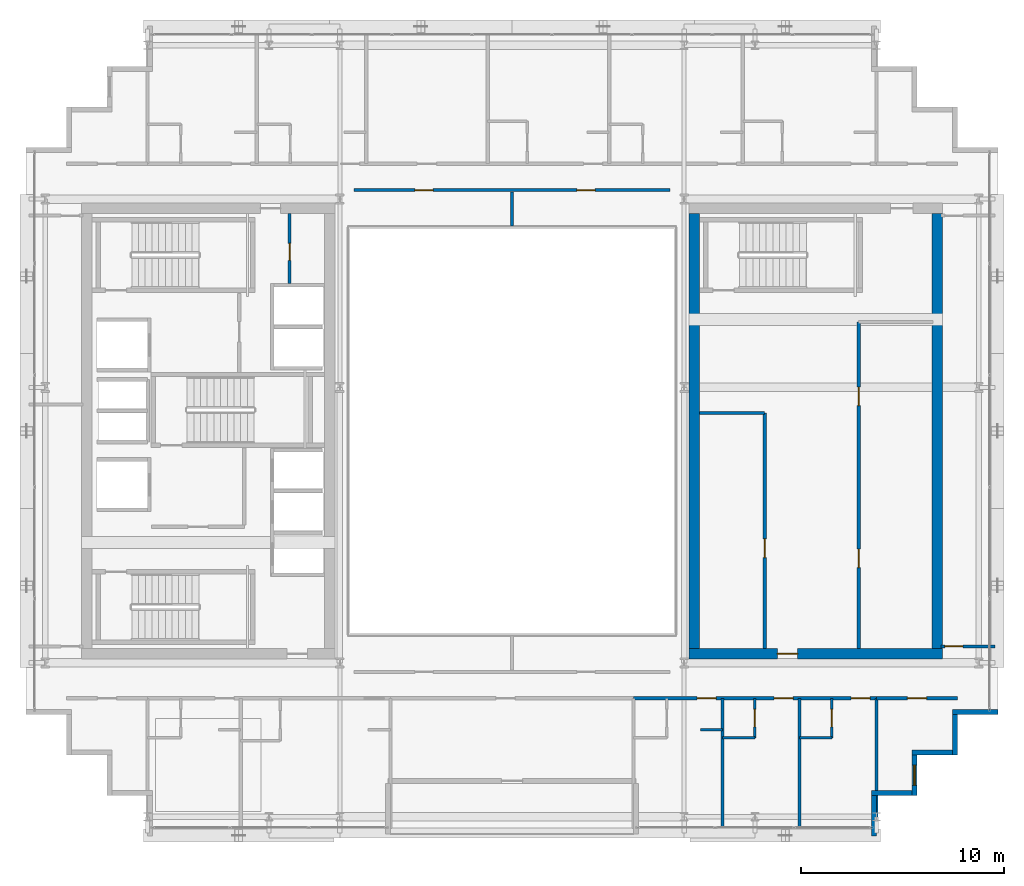
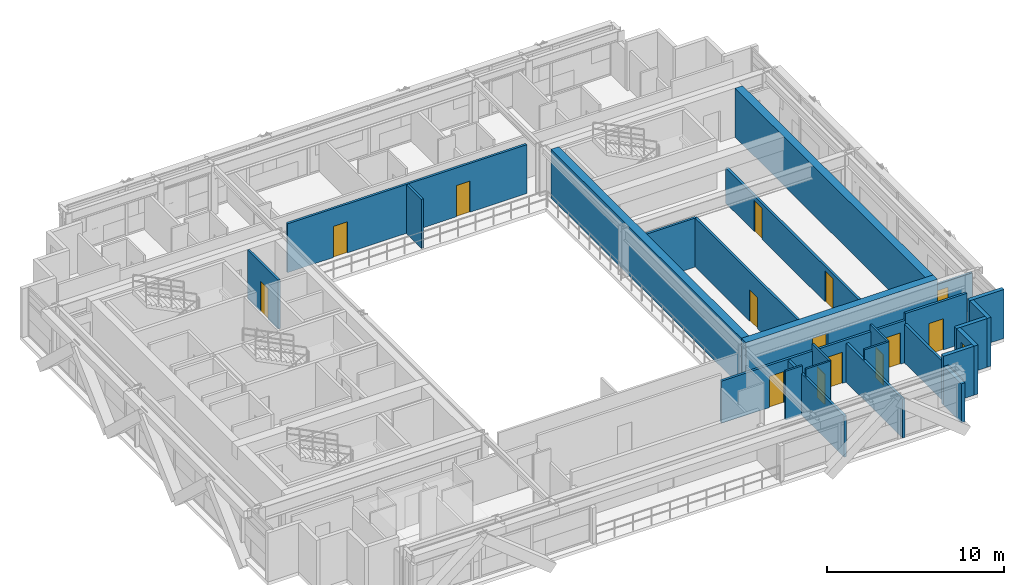
# One storey, part 25 of 31: 26 walls, 14 doors, 1 window, 15 openings.
"""IFC4 building model written with IfcOpenShell, lengths in metres."""

from ifc_helpers import new_model, si_unit, direction, frame, frame_2d, origin, place, context, subcontext, project, spatial, rectangle, extrude, source, transform, mapped, material, layer, layer_set, type_object, element, fill, save


model = new_model("IFC4")

# Units and contexts
model_context = context("Model", 3, precision=1e-05, world=origin(), true_north=direction((0.0, 1.0)))
body_context = subcontext(model_context, "Body", "Model", "MODEL_VIEW")
ifc_project = project(units=[si_unit("LENGTHUNIT", "METRE"), si_unit("AREAUNIT", "SQUARE_METRE"), si_unit("VOLUMEUNIT", "CUBIC_METRE"), si_unit("PLANEANGLEUNIT", "RADIAN"), si_unit("MASSUNIT", "GRAM", prefix="KILO")], contexts=[model_context])

# Site, building, storey
site_placement = place(None, origin())
site = spatial("IfcSite", under=ifc_project, at=site_placement, CompositionType="ELEMENT")
building_placement = place(site_placement, origin())
building = spatial("IfcBuilding", under=site, at=building_placement, Name="Ocotamira Hotel", CompositionType="ELEMENT")
storey_placement = place(building_placement, frame((0.0, 0.0, 202.800048828125)))
storey = spatial("IfcBuildingStorey", under=building, at=storey_placement, Name="L51", CompositionType="ELEMENT", Elevation=202.800048828125)

# Wall, opening, door
ifc_material_1 = material(Name="Concrete C50/60", Category="concrete")
ifc_layer_1 = layer(ifc_material_1, 0.5)
ifc_layer_set_1 = layer_set([ifc_layer_1], Name="Concrete C50/60")
wall_type_1 = type_object("IfcWallType", Name="WL-CORE-500", PredefinedType="SHEAR", material=ifc_layer_set_1)
wall_1_placement = place(storey_placement, frame((40.75, 15.0, 0.0), z_axis=(0.0, 0.0, 1.0), x_axis=(1.0, 0.0, 0.0)))
wall_1 = element("IfcWall", 1, at=wall_1_placement, inside=storey, type_object=wall_type_1, Name="L51 Shear Core Wall ECORE-S", PredefinedType="SHEAR", context=body_context, shape_type="SweptSolid", body=[
    extrude(rectangle(XDim=12.5, YDim=0.5, at=frame_2d((6.25, 0.0))), origin(), (0.0, 0.0, 1.0), 3.369873046875),
])
opening_1_placement = place(wall_1_placement, frame((4.35009765625, 0.0, 0.0)))
opening_1 = element("IfcOpeningElement", 2, at=opening_1_placement, cuts=wall_1, Name="Opening D-FR2", PredefinedType="OPENING", context=body_context, shape_type="SweptSolid", body=[
    extrude(rectangle(XDim=1.0, YDim=2.14990234375, at=frame_2d((0.5, 1.074951171875))), frame((0.0, 0.260009765625, 0.0), z_axis=(0.0, -1.0, 0.0), x_axis=(1.0, 0.0, 0.0)), (0.0, 0.0, 1.0), 0.52001953125),
])
ifc_material_2 = material(Name="Fire-rated acoustic timber-veneer door", Category="wood")
door_type_1 = type_object("IfcDoorType", Name="DR-FIRE-1000", OperationType="NOTDEFINED", PredefinedType="DOOR", material=ifc_material_2)
shared_shape_1 = source(origin(), body_context, "Body", "SweptSolid", [
    extrude(rectangle(XDim=1.0, YDim=2.14990234375, at=frame_2d((0.5, 1.074951171875))), frame((0.0, 0.02490234375, 0.0), z_axis=(0.0, -1.0, 0.0), x_axis=(1.0, 0.0, 0.0)), (0.0, 0.0, 1.0), 0.050048828125),
])
door_1_placement = place(opening_1_placement, origin())
door_1 = element("IfcDoor", 3, at=door_1_placement, inside=storey, type_object=door_type_1, Name="L51 Door ID-L51-ELOB-S-D [ID-L51-ELOB-S-D]", OperationType="SINGLE_SWING_RIGHT", OverallHeight=2.14990234375, OverallWidth=1.0, PredefinedType="DOOR", context=body_context, shape_type="MappedRepresentation", body=[
    mapped(shared_shape_1, transform((0.0, 0.0, 0.0), scale=1.0)),
])
fill(opening_1, door_1)

# Walls
for number, where, z_axis, x_axis, name in (
    (4, (41.0, 15.25, 0.0), (0.0, 0.0, 1.0), (0.0, 1.0, 0.0), "L51 Shear Core Wall ECORE-W"),
    (5, (53.0, 15.25, 0.0), (0.0, 0.0, 1.0), (0.0, 1.0, 0.0), "L51 Shear Core Wall ECORE-E"),
):
    element("IfcWall", number, at=place(storey_placement, frame(where, z_axis=z_axis, x_axis=x_axis)), inside=storey, type_object=wall_type_1, Name=name, PredefinedType="SHEAR", context=body_context, shape_type="SweptSolid", body=[
        extrude(rectangle(XDim=21.5, YDim=0.5, at=frame_2d((10.75, 0.0))), origin(), (0.0, 0.0, 1.0), 3.369873046875),
    ])
ifc_material_3 = material(Name="Precast concrete C45/55", Category="concrete")
ifc_layer_2 = layer(ifc_material_3, 0.25)
ifc_layer_set_2 = layer_set([ifc_layer_2], Name="Precast concrete C45/55")
wall_type_2 = type_object("IfcWallType", Name="WL-EXT-SER-250", PredefinedType="SOLIDWALL", material=ifc_layer_set_2)
wall_2_placement = place(storey_placement, frame((49.875, 6.0, 0.0), z_axis=(0.0, 0.0, 1.0), x_axis=(0.0, 1.0, 0.0)))
element("IfcWall", 6, at=wall_2_placement, inside=storey, type_object=wall_type_2, Name="L51 Serrated Corner Wall 01", PredefinedType="SOLIDWALL", context=body_context, shape_type="SweptSolid", body=[
    extrude(rectangle(XDim=2.0, YDim=0.25, at=frame_2d((1.0, 0.0))), origin(), (0.0, 0.0, 1.0), 2.677001953125),
])
wall_3_placement = place(storey_placement, frame((49.75, 8.125, 0.0), z_axis=(0.0, 0.0, 1.0), x_axis=(1.0, 0.0, 0.0)))
element("IfcWall", 7, at=wall_3_placement, inside=storey, type_object=wall_type_2, Name="L51 Serrated Corner Wall 02", PredefinedType="SOLIDWALL", context=body_context, shape_type="SweptSolid", body=[
    extrude(rectangle(XDim=2.0, YDim=0.25, at=frame_2d((1.0, 0.0))), origin(), (0.0, 0.0, 1.0), 3.369873046875),
])

# Wall, opening, window
wall_4_placement = place(storey_placement, frame((51.875, 8.0, 0.0), z_axis=(0.0, 0.0, 1.0), x_axis=(0.0, 1.0, 0.0)))
wall_4 = element("IfcWall", 8, at=wall_4_placement, inside=storey, type_object=wall_type_2, Name="L51 Serrated Corner Wall 03", PredefinedType="SOLIDWALL", context=body_context, shape_type="SweptSolid", body=[
    extrude(rectangle(XDim=2.0, YDim=0.25, at=frame_2d((1.0, 0.0))), origin(), (0.0, 0.0, 1.0), 3.369873046875),
])
opening_2_placement = place(wall_4_placement, frame((0.5, 0.0, 0.85009765625)))
opening_2 = element("IfcOpeningElement", 9, at=opening_2_placement, cuts=wall_4, Name="Opening WN-2", PredefinedType="OPENING", context=body_context, shape_type="SweptSolid", body=[
    extrude(rectangle(XDim=1.0, YDim=1.89990234375, at=frame_2d((0.5, 0.949951171875))), frame((0.0, 0.135009765625, 0.0), z_axis=(0.0, -1.0, 0.0), x_axis=(1.0, 0.0, 0.0)), (0.0, 0.0, 1.0), 0.27001953125),
])
ifc_material_4 = material(Name="Double-silver low-E solar glass", Category="glass")
window_type = type_object("IfcWindowType", Name="WIN-SER-1100", PartitioningType="SINGLE_PANEL", PredefinedType="WINDOW", material=ifc_material_4)
shared_shape_2 = source(origin(), body_context, "Body", "SweptSolid", [
    extrude(rectangle(XDim=1.0, YDim=1.89990234375, at=frame_2d((0.5, 0.949951171875))), frame((0.0, 0.030029296875, 0.0), z_axis=(0.0, -1.0, 0.0), x_axis=(1.0, 0.0, 0.0)), (0.0, 0.0, 1.0), 0.06005859375),
])
window_placement = place(opening_2_placement, origin())
window = element("IfcWindow", 10, at=window_placement, inside=storey, type_object=window_type, Name="L51 Serrated Corner Window 03", OverallHeight=1.89990234375, OverallWidth=1.0, PartitioningType="SINGLE_PANEL", PredefinedType="WINDOW", context=body_context, shape_type="MappedRepresentation", body=[
    mapped(shared_shape_2, transform((0.0, 0.0, 0.0), scale=1.0)),
])
fill(opening_2, window)

# Walls
for number, where, z_axis, x_axis, name in (
    (11, (51.75, 10.125, 0.0), (0.0, 0.0, 1.0), (1.0, 0.0, 0.0), "L51 Serrated Corner Wall 04"),
    (12, (53.875, 10.0, 0.0), (0.0, 0.0, 1.0), (0.0, 1.0, 0.0), "L51 Serrated Corner Wall 05"),
):
    element("IfcWall", number, at=place(storey_placement, frame(where, z_axis=z_axis, x_axis=x_axis)), inside=storey, type_object=wall_type_2, Name=name, PredefinedType="SOLIDWALL", context=body_context, shape_type="SweptSolid", body=[
        extrude(rectangle(XDim=2.0, YDim=0.25, at=frame_2d((1.0, 0.0))), origin(), (0.0, 0.0, 1.0), 3.369873046875),
    ])
wall_5_placement = place(storey_placement, frame((53.75, 12.125, 0.0), z_axis=(0.0, 0.0, 1.0), x_axis=(1.0, 0.0, 0.0)))
element("IfcWall", 13, at=wall_5_placement, inside=storey, type_object=wall_type_2, Name="L51 Serrated Corner Wall 06", PredefinedType="SOLIDWALL", context=body_context, shape_type="SweptSolid", body=[
    extrude(rectangle(XDim=2.25, YDim=0.25, at=frame_2d((1.125, 0.0))), origin(), (0.0, 0.0, 1.0), 3.369873046875),
])

# Wall, openings, doors
ifc_material_5 = material(Name="Acoustic double-layer fire gypsum board partition", Category="gypsum")
ifc_layer_3 = layer(ifc_material_5, 0.159912109375)
ifc_layer_set_3 = layer_set([ifc_layer_3], Name="Acoustic double-layer fire gypsum board partition")
wall_type_3 = type_object("IfcWallType", Name="WL-FIRE-160", PredefinedType="PARTITIONING", material=ifc_layer_set_3)
wall_6_placement = place(storey_placement, frame((49.1201171875, 15.25, 0.0), z_axis=(0.0, 0.0, 1.0), x_axis=(0.0, 1.0, 0.0)))
wall_6 = element("IfcWall", 14, at=wall_6_placement, inside=storey, type_object=wall_type_3, Name="L51 Interior Wall PW-L51-EC-FLOW-W", PredefinedType="PARTITIONING", context=body_context, shape_type="SweptSolid", body=[
    extrude(rectangle(XDim=16.1298828125, YDim=0.159912109375, at=frame_2d((8.06494140625, 0.0))), origin(), (0.0, 0.0, 1.0), 2.44287109375),
])
opening_3_placement = place(wall_6_placement, frame((4.0, 0.0, 0.0)))
opening_3 = element("IfcOpeningElement", 15, at=opening_3_placement, cuts=wall_6, Name="Opening D-SV3", PredefinedType="OPENING", context=body_context, shape_type="SweptSolid", body=[
    extrude(rectangle(XDim=0.919921875, YDim=2.14990234375, at=frame_2d((0.4599609375, 1.074951171875))), frame((0.0, 0.08984375, 0.0), z_axis=(0.0, -1.0, 0.0), x_axis=(1.0, 0.0, 0.0)), (0.0, 0.0, 1.0), 0.179931640625),
])
opening_4_placement = place(wall_6_placement, frame((12.0, 0.0, 0.0)))
opening_4 = element("IfcOpeningElement", 16, at=opening_4_placement, cuts=wall_6, Name="Opening D-SV3", PredefinedType="OPENING", context=body_context, shape_type="SweptSolid", body=[
    extrude(rectangle(XDim=0.919921875, YDim=2.14990234375, at=frame_2d((0.4599609375, 1.074951171875))), frame((0.0, 0.08984375, 0.0), z_axis=(0.0, -1.0, 0.0), x_axis=(1.0, 0.0, 0.0)), (0.0, 0.0, 1.0), 0.179931640625),
])
ifc_material_6 = material(Name="Fire-rated walnut hospitality door", Category="wood")
door_type_2 = type_object("IfcDoorType", Name="DR-SERV-920", OperationType="NOTDEFINED", PredefinedType="DOOR", material=ifc_material_6)
shared_shape_3 = source(origin(), body_context, "Body", "SweptSolid", [
    extrude(rectangle(XDim=0.919921875, YDim=2.14990234375, at=frame_2d((0.4599609375, 1.074951171875))), frame((0.0, 0.02490234375, 0.0), z_axis=(0.0, -1.0, 0.0), x_axis=(1.0, 0.0, 0.0)), (0.0, 0.0, 1.0), 0.050048828125),
])
door_2_placement = place(opening_3_placement, origin())
door_2 = element("IfcDoor", 17, at=door_2_placement, inside=storey, type_object=door_type_2, Name="L51 Door ID-L51-EC-FLOW-D1 [ID-L51-EC-FLOW-D1]", OperationType="SINGLE_SWING_LEFT", OverallHeight=2.14990234375, OverallWidth=0.919921875, PredefinedType="DOOR", context=body_context, shape_type="MappedRepresentation", body=[
    mapped(shared_shape_3, transform((0.0, 0.0, 0.0), scale=1.0)),
])
fill(opening_3, door_2)
door_3_placement = place(opening_4_placement, origin())
door_3 = element("IfcDoor", 18, at=door_3_placement, inside=storey, type_object=door_type_2, Name="L51 Door ID-L51-EC-FLOW-D2 [ID-L51-EC-FLOW-D2]", OperationType="SINGLE_SWING_RIGHT", OverallHeight=2.14990234375, OverallWidth=0.919921875, PredefinedType="DOOR", context=body_context, shape_type="MappedRepresentation", body=[
    mapped(shared_shape_3, transform((0.0, 0.0, 0.0), scale=1.0)),
])
fill(opening_4, door_3)

# Wall, opening, door
wall_7_placement = place(storey_placement, frame((50.0, 12.800048828125, 0.0), z_axis=(0.0, 0.0, 1.0), x_axis=(1.0, 0.0, 0.0)))
wall_7 = element("IfcWall", 19, at=wall_7_placement, inside=storey, type_object=wall_type_3, Name="L51 Interior Wall PW-L51-Z3E-CSE-CW", PredefinedType="PARTITIONING", context=body_context, shape_type="SweptSolid", body=[
    extrude(rectangle(XDim=4.0, YDim=0.159912109375, at=frame_2d((2.0, 0.0))), origin(), (0.0, 0.0, 1.0), 3.369873046875),
])
opening_5_placement = place(wall_7_placement, frame((1.52001953125, 0.0, 0.0)))
opening_5 = element("IfcOpeningElement", 20, at=opening_5_placement, cuts=wall_7, Name="Opening D-SV4", PredefinedType="OPENING", context=body_context, shape_type="SweptSolid", body=[
    extrude(rectangle(XDim=0.9599609375, YDim=2.14990234375, at=frame_2d((0.47998046875, 1.074951171875))), frame((0.0, 0.08984375, 0.0), z_axis=(0.0, -1.0, 0.0), x_axis=(1.0, 0.0, 0.0)), (0.0, 0.0, 1.0), 0.179931640625),
])
ifc_material_7 = material(Name="Fire-rated accessible walnut salon door", Category="wood")
door_type_3 = type_object("IfcDoorType", Name="DR-SERV-960", OperationType="NOTDEFINED", PredefinedType="DOOR", material=ifc_material_7)
shared_shape_4 = source(origin(), body_context, "Body", "SweptSolid", [
    extrude(rectangle(XDim=0.9599609375, YDim=2.14990234375, at=frame_2d((0.47998046875, 1.074951171875))), frame((0.0, 0.02490234375, 0.0), z_axis=(0.0, -1.0, 0.0), x_axis=(1.0, 0.0, 0.0)), (0.0, 0.0, 1.0), 0.050048828125),
])
door_4_placement = place(opening_5_placement, origin())
door_4 = element("IfcDoor", 21, at=door_4_placement, inside=storey, type_object=door_type_3, Name="L51 Door ID-L51-Z3E-CSE-CD [ID-L51-Z3E-CSE-CD]", OperationType="SINGLE_SWING_LEFT", OverallHeight=2.14990234375, OverallWidth=0.9599609375, PredefinedType="DOOR", context=body_context, shape_type="MappedRepresentation", body=[
    mapped(shared_shape_4, transform((0.0, 0.0, 0.0), scale=1.0)),
])
fill(opening_5, door_4)

# Wall, openings, doors
wall_8_placement = place(storey_placement, frame((38.0, 12.800048828125, 0.0), z_axis=(0.0, 0.0, 1.0), x_axis=(1.0, 0.0, 0.0)))
wall_8 = element("IfcWall", 22, at=wall_8_placement, inside=storey, type_object=wall_type_3, Name="L51 Interior Wall PW-L51-Z3ESE-CORRW", PredefinedType="PARTITIONING", context=body_context, shape_type="SweptSolid", body=[
    extrude(rectangle(XDim=12.0, YDim=0.159912109375, at=frame_2d((6.0, 0.0))), origin(), (0.0, 0.0, 1.0), 2.912841796875),
])
opening_6_placement = place(wall_8_placement, frame((3.139892578125, 0.0, 0.0)))
opening_6 = element("IfcOpeningElement", 23, at=opening_6_placement, cuts=wall_8, Name="Opening D-GR1", PredefinedType="OPENING", context=body_context, shape_type="SweptSolid", body=[
    extrude(rectangle(XDim=0.93994140625, YDim=2.14990234375, at=frame_2d((0.469970703125, 1.074951171875))), frame((0.0, 0.08984375, 0.0), z_axis=(0.0, -1.0, 0.0), x_axis=(1.0, 0.0, 0.0)), (0.0, 0.0, 1.0), 0.179931640625),
])
opening_7_placement = place(wall_8_placement, frame((6.93994140625, 0.0, 0.0)))
opening_7 = element("IfcOpeningElement", 24, at=opening_7_placement, cuts=wall_8, Name="Opening D-GR1", PredefinedType="OPENING", context=body_context, shape_type="SweptSolid", body=[
    extrude(rectangle(XDim=0.93994140625, YDim=2.14990234375, at=frame_2d((0.469970703125, 1.074951171875))), frame((0.0, 0.08984375, 0.0), z_axis=(0.0, -1.0, 0.0), x_axis=(1.0, 0.0, 0.0)), (0.0, 0.0, 1.0), 0.179931640625),
])
opening_8_placement = place(wall_8_placement, frame((10.739990234375, 0.0, 0.0)))
opening_8 = element("IfcOpeningElement", 25, at=opening_8_placement, cuts=wall_8, Name="Opening D-GR1", PredefinedType="OPENING", context=body_context, shape_type="SweptSolid", body=[
    extrude(rectangle(XDim=0.93994140625, YDim=2.14990234375, at=frame_2d((0.469970703125, 1.074951171875))), frame((0.0, 0.08984375, 0.0), z_axis=(0.0, -1.0, 0.0), x_axis=(1.0, 0.0, 0.0)), (0.0, 0.0, 1.0), 0.179931640625),
])
ifc_material_8 = material(Name="Solid-core walnut suite entrance fire door", Category="wood")
door_type_4 = type_object("IfcDoorType", Name="DR-GUEST-940", OperationType="NOTDEFINED", PredefinedType="DOOR", material=ifc_material_8)
shared_shape_5 = source(origin(), body_context, "Body", "SweptSolid", [
    extrude(rectangle(XDim=0.93994140625, YDim=2.14990234375, at=frame_2d((0.469970703125, 1.074951171875))), frame((0.0, 0.02490234375, 0.0), z_axis=(0.0, -1.0, 0.0), x_axis=(1.0, 0.0, 0.0)), (0.0, 0.0, 1.0), 0.050048828125),
])
door_5_placement = place(opening_6_placement, origin())
door_5 = element("IfcDoor", 26, at=door_5_placement, inside=storey, type_object=door_type_4, Name="L51 Door ID-L51-Z3ESE-RMD1 [ID-L51-Z3ESE-RMD1]", OperationType="SINGLE_SWING_LEFT", OverallHeight=2.14990234375, OverallWidth=0.93994140625, PredefinedType="DOOR", context=body_context, shape_type="MappedRepresentation", body=[
    mapped(shared_shape_5, transform((0.0, 0.0, 0.0), scale=1.0)),
])
fill(opening_6, door_5)
door_6_placement = place(opening_7_placement, origin())
door_6 = element("IfcDoor", 27, at=door_6_placement, inside=storey, type_object=door_type_4, Name="L51 Door ID-L51-Z3ESE-RMD2 [ID-L51-Z3ESE-RMD2]", OperationType="SINGLE_SWING_RIGHT", OverallHeight=2.14990234375, OverallWidth=0.93994140625, PredefinedType="DOOR", context=body_context, shape_type="MappedRepresentation", body=[
    mapped(shared_shape_5, transform((0.0, 0.0, 0.0), scale=1.0)),
])
fill(opening_7, door_6)
door_7_placement = place(opening_8_placement, origin())
door_7 = element("IfcDoor", 28, at=door_7_placement, inside=storey, type_object=door_type_4, Name="L51 Door ID-L51-Z3ESE-RMD3 [ID-L51-Z3ESE-RMD3]", OperationType="SINGLE_SWING_LEFT", OverallHeight=2.14990234375, OverallWidth=0.93994140625, PredefinedType="DOOR", context=body_context, shape_type="MappedRepresentation", body=[
    mapped(shared_shape_5, transform((0.0, 0.0, 0.0), scale=1.0)),
])
fill(opening_8, door_7)

# Wall
ifc_material_9 = material(Name="Moisture-resistant en-suite tile and gypsum partition", Category="gypsum")
ifc_layer_4 = layer(ifc_material_9, 0.1201171875)
ifc_layer_set_4 = layer_set([ifc_layer_4], Name="Moisture-resistant en-suite tile and gypsum partition")
wall_type_4 = type_object("IfcWallType", Name="WL-PART-120", PredefinedType="PARTITIONING", material=ifc_layer_set_4)
wall_9_placement = place(storey_placement, frame((41.300048828125, 11.25, 0.0), z_axis=(0.0, 0.0, 1.0), x_axis=(1.0, 0.0, 0.0)))
element("IfcWall", 29, at=wall_9_placement, inside=storey, type_object=wall_type_4, Name="L51 Interior Wall PW-L51-Z3ESE-DRN1", PredefinedType="PARTITIONING", context=body_context, shape_type="SweptSolid", body=[
    extrude(rectangle(XDim=1.099853515625, YDim=0.1201171875, at=frame_2d((0.5498046875, 0.0))), origin(), (0.0, 0.0, 1.0), 3.369873046875),
])

# Wall, opening, door
wall_10_placement = place(storey_placement, frame((43.989990234375, 10.85009765625, 0.0), z_axis=(0.0, 0.0, 1.0), x_axis=(0.0, 1.0, 0.0)))
wall_10 = element("IfcWall", 30, at=wall_10_placement, inside=storey, type_object=wall_type_4, Name="L51 Interior Wall PW-L51-Z3ESE-BAE2", PredefinedType="PARTITIONING", context=body_context, shape_type="SweptSolid", body=[
    extrude(rectangle(XDim=1.949951171875, YDim=0.1201171875, at=frame_2d((0.97509765625, 0.0))), origin(), (0.0, 0.0, 1.0), 3.369873046875),
])
opening_9_placement = place(wall_10_placement, frame((0.544921875, 0.0, 0.0)))
opening_9 = element("IfcOpeningElement", 31, at=opening_9_placement, cuts=wall_10, Name="Opening D-BA1", PredefinedType="OPENING", context=body_context, shape_type="SweptSolid", body=[
    extrude(rectangle(XDim=0.860107421875, YDim=2.10009765625, at=frame_2d((0.43017578125, 1.050048828125))), frame((0.0, 0.070068359375, 0.0), z_axis=(0.0, -1.0, 0.0), x_axis=(1.0, 0.0, 0.0)), (0.0, 0.0, 1.0), 0.14013671875),
])
ifc_material_10 = material(Name="Moisture-sealed en-suite timber door", Category="wood")
door_type_5 = type_object("IfcDoorType", Name="DR-BATH-860", OperationType="NOTDEFINED", PredefinedType="DOOR", material=ifc_material_10)
shared_shape_6 = source(origin(), body_context, "Body", "SweptSolid", [
    extrude(rectangle(XDim=0.860107421875, YDim=2.10009765625, at=frame_2d((0.43017578125, 1.050048828125))), frame((0.0, 0.02490234375, 0.0), z_axis=(0.0, -1.0, 0.0), x_axis=(1.0, 0.0, 0.0)), (0.0, 0.0, 1.0), 0.050048828125),
])
door_8_placement = place(opening_9_placement, origin())
door_8 = element("IfcDoor", 32, at=door_8_placement, inside=storey, type_object=door_type_5, Name="L51 Door ID-L51-Z3ESE-BAD2 [ID-L51-Z3ESE-BAD2]", OperationType="SINGLE_SWING_LEFT", OverallHeight=2.10009765625, OverallWidth=0.860107421875, PredefinedType="DOOR", context=body_context, shape_type="MappedRepresentation", body=[
    mapped(shared_shape_6, transform((0.0, 0.0, 0.0), scale=1.0)),
])
fill(opening_9, door_8)

# Wall
wall_11_placement = place(storey_placement, frame((42.39990234375, 10.85009765625, 0.0), z_axis=(0.0, 0.0, 1.0), x_axis=(1.0, 0.0, 0.0)))
element("IfcWall", 33, at=wall_11_placement, inside=storey, type_object=wall_type_4, Name="L51 Interior Wall PW-L51-Z3ESE-BAS2", PredefinedType="PARTITIONING", context=body_context, shape_type="SweptSolid", body=[
    extrude(rectangle(XDim=1.590087890625, YDim=0.1201171875, at=frame_2d((0.794921875, 0.0))), origin(), (0.0, 0.0, 1.0), 3.369873046875),
])

# Wall, opening, door
wall_12_placement = place(storey_placement, frame((47.7900390625, 10.85009765625, 0.0), z_axis=(0.0, 0.0, 1.0), x_axis=(0.0, 1.0, 0.0)))
wall_12 = element("IfcWall", 34, at=wall_12_placement, inside=storey, type_object=wall_type_4, Name="L51 Interior Wall PW-L51-Z3ESE-BAE3", PredefinedType="PARTITIONING", context=body_context, shape_type="SweptSolid", body=[
    extrude(rectangle(XDim=1.949951171875, YDim=0.1201171875, at=frame_2d((0.97509765625, 0.0))), origin(), (0.0, 0.0, 1.0), 3.369873046875),
])
opening_10_placement = place(wall_12_placement, frame((0.544921875, 0.0, 0.0)))
opening_10 = element("IfcOpeningElement", 35, at=opening_10_placement, cuts=wall_12, Name="Opening D-BA1", PredefinedType="OPENING", context=body_context, shape_type="SweptSolid", body=[
    extrude(rectangle(XDim=0.860107421875, YDim=2.10009765625, at=frame_2d((0.43017578125, 1.050048828125))), frame((0.0, 0.070068359375, 0.0), z_axis=(0.0, -1.0, 0.0), x_axis=(1.0, 0.0, 0.0)), (0.0, 0.0, 1.0), 0.14013671875),
])
door_9_placement = place(opening_10_placement, origin())
door_9 = element("IfcDoor", 36, at=door_9_placement, inside=storey, type_object=door_type_5, Name="L51 Door ID-L51-Z3ESE-BAD3 [ID-L51-Z3ESE-BAD3]", OperationType="SINGLE_SWING_RIGHT", OverallHeight=2.10009765625, OverallWidth=0.860107421875, PredefinedType="DOOR", context=body_context, shape_type="MappedRepresentation", body=[
    mapped(shared_shape_6, transform((0.0, 0.0, 0.0), scale=1.0)),
])
fill(opening_10, door_9)

# Wall
wall_13_placement = place(storey_placement, frame((46.199951171875, 10.85009765625, 0.0), z_axis=(0.0, 0.0, 1.0), x_axis=(1.0, 0.0, 0.0)))
element("IfcWall", 37, at=wall_13_placement, inside=storey, type_object=wall_type_4, Name="L51 Interior Wall PW-L51-Z3ESE-BAS3", PredefinedType="PARTITIONING", context=body_context, shape_type="SweptSolid", body=[
    extrude(rectangle(XDim=1.590087890625, YDim=0.1201171875, at=frame_2d((0.794921875, 0.0))), origin(), (0.0, 0.0, 1.0), 3.369873046875),
])

# Wall, opening, door
ifc_material_11 = material(Name="Acoustic hospitality gypsum board partition", Category="gypsum")
ifc_layer_5 = layer(ifc_material_11, 0.14208984375)
ifc_layer_set_5 = layer_set([ifc_layer_5], Name="Acoustic hospitality gypsum board partition")
wall_type_5 = type_object("IfcWallType", Name="WL-PART-142", PredefinedType="PARTITIONING", material=ifc_layer_set_5)
wall_14_placement = place(storey_placement, frame((21.02001953125, 33.280029296875, 0.0), z_axis=(0.0, 0.0, 1.0), x_axis=(0.0, 1.0, 0.0)))
wall_14 = element("IfcWall", 38, at=wall_14_placement, inside=storey, type_object=wall_type_5, Name="L51 Interior Wall PW-L51-WC-NE-W", PredefinedType="PARTITIONING", context=body_context, shape_type="SweptSolid", body=[
    extrude(rectangle(XDim=3.469970703125, YDim=0.14208984375, at=frame_2d((1.73486328125, 0.0))), origin(), (0.0, 0.0, 1.0), 3.369873046875),
])
opening_11_placement = place(wall_14_placement, frame((1.14990234375, 0.0, 0.0)))
opening_11 = element("IfcOpeningElement", 39, at=opening_11_placement, cuts=wall_14, Name="Opening D-SV1", PredefinedType="OPENING", context=body_context, shape_type="SweptSolid", body=[
    extrude(rectangle(XDim=0.840087890625, YDim=2.10009765625, at=frame_2d((0.419921875, 1.050048828125))), frame((0.0, 0.0810546875, 0.0), z_axis=(0.0, -1.0, 0.0), x_axis=(1.0, 0.0, 0.0)), (0.0, 0.0, 1.0), 0.162109375),
])
ifc_material_12 = material(Name="Fire-rated painted steel service door", Category="steel")
door_type_6 = type_object("IfcDoorType", Name="DR-SERV-840", OperationType="NOTDEFINED", PredefinedType="DOOR", material=ifc_material_12)
shared_shape_7 = source(origin(), body_context, "Body", "SweptSolid", [
    extrude(rectangle(XDim=0.840087890625, YDim=2.10009765625, at=frame_2d((0.419921875, 1.050048828125))), frame((0.0, 0.02490234375, 0.0), z_axis=(0.0, -1.0, 0.0), x_axis=(1.0, 0.0, 0.0)), (0.0, 0.0, 1.0), 0.050048828125),
])
door_10_placement = place(opening_11_placement, origin())
door_10 = element("IfcDoor", 40, at=door_10_placement, inside=storey, type_object=door_type_6, Name="L51 Door ID-L51-WC-NE-D [ID-L51-WC-NE-D]", OperationType="SINGLE_SWING_LEFT", OverallHeight=2.10009765625, OverallWidth=0.840087890625, PredefinedType="DOOR", context=body_context, shape_type="MappedRepresentation", body=[
    mapped(shared_shape_7, transform((0.0, 0.0, 0.0), scale=1.0)),
])
fill(opening_11, door_10)

# Walls
wall_15_placement = place(storey_placement, frame((32.0, 36.1201171875, 0.0), z_axis=(0.0, 0.0, 1.0), x_axis=(0.0, 1.0, 0.0)))
element("IfcWall", 41, at=wall_15_placement, inside=storey, type_object=wall_type_5, Name="L51 Interior Wall PW-L51-Z3E-AND1", PredefinedType="PARTITIONING", context=body_context, shape_type="SweptSolid", body=[
    extrude(rectangle(XDim=1.679931640625, YDim=0.14208984375, at=frame_2d((0.83984375, 0.0))), origin(), (0.0, 0.0, 1.0), 3.369873046875),
])
ifc_layer_6 = layer(ifc_material_11, 0.14990234375)
ifc_layer_set_6 = layer_set([ifc_layer_6], Name="Acoustic hospitality gypsum board partition")
wall_type_6 = type_object("IfcWallType", Name="WL-PART-150", PredefinedType="PARTITIONING", material=ifc_layer_set_6)
wall_16_placement = place(storey_placement, frame((41.25, 26.8798828125, 0.0), z_axis=(0.0, 0.0, 1.0), x_axis=(1.0, 0.0, 0.0)))
element("IfcWall", 42, at=wall_16_placement, inside=storey, type_object=wall_type_6, Name="L51 Interior Wall PW-L51-EC-FMID-N", PredefinedType="PARTITIONING", context=body_context, shape_type="SweptSolid", body=[
    extrude(rectangle(XDim=3.22998046875, YDim=0.14990234375, at=frame_2d((1.614990234375, 0.0))), origin(), (0.0, 0.0, 1.0), 3.369873046875),
])

# Wall, opening, door
wall_17_placement = place(storey_placement, frame((44.47998046875, 15.25, 0.0), z_axis=(0.0, 0.0, 1.0), x_axis=(0.0, 1.0, 0.0)))
wall_17 = element("IfcWall", 43, at=wall_17_placement, inside=storey, type_object=wall_type_6, Name="L51 Interior Wall PW-L51-EC-FMID-E", PredefinedType="PARTITIONING", context=body_context, shape_type="SweptSolid", body=[
    extrude(rectangle(XDim=11.6298828125, YDim=0.14990234375, at=frame_2d((5.81494140625, 0.0))), origin(), (0.0, 0.0, 1.0), 3.369873046875),
])
opening_12_placement = place(wall_17_placement, frame((4.5, 0.0, 0.0)))
opening_12 = element("IfcOpeningElement", 44, at=opening_12_placement, cuts=wall_17, Name="Opening D-SV3", PredefinedType="OPENING", context=body_context, shape_type="SweptSolid", body=[
    extrude(rectangle(XDim=0.919921875, YDim=2.14990234375, at=frame_2d((0.4599609375, 1.074951171875))), frame((0.0, 0.0849609375, 0.0), z_axis=(0.0, -1.0, 0.0), x_axis=(1.0, 0.0, 0.0)), (0.0, 0.0, 1.0), 0.169921875),
])
door_11_placement = place(opening_12_placement, origin())
door_11 = element("IfcDoor", 45, at=door_11_placement, inside=storey, type_object=door_type_2, Name="L51 Door ID-L51-EC-FMID-D1 [ID-L51-EC-FMID-D1]", OperationType="SINGLE_SWING_RIGHT", OverallHeight=2.14990234375, OverallWidth=0.919921875, PredefinedType="DOOR", context=body_context, shape_type="MappedRepresentation", body=[
    mapped(shared_shape_3, transform((0.0, 0.0, 0.0), scale=1.0)),
])
fill(opening_12, door_11)

# Wall, openings, doors
wall_18_placement = place(storey_placement, frame((24.199951171875, 37.89990234375, 0.0), z_axis=(0.0, 0.0, 1.0), x_axis=(1.0, 0.0, 0.0)))
wall_18 = element("IfcWall", 46, at=wall_18_placement, inside=storey, type_object=wall_type_6, Name="L51 Interior Wall PW-L51-Z3E-ATRNW", PredefinedType="PARTITIONING", context=body_context, shape_type="SweptSolid", body=[
    extrude(rectangle(XDim=15.60009765625, YDim=0.14990234375, at=frame_2d((7.800048828125, 0.0))), origin(), (0.0, 0.0, 1.0), 3.369873046875),
])
opening_13_placement = place(wall_18_placement, frame((3.0, 0.0, 0.0)))
opening_13 = element("IfcOpeningElement", 47, at=opening_13_placement, cuts=wall_18, Name="Opening D-IN3", PredefinedType="OPENING", context=body_context, shape_type="SweptSolid", body=[
    extrude(rectangle(XDim=0.89990234375, YDim=2.14990234375, at=frame_2d((0.449951171875, 1.074951171875))), frame((0.0, 0.0849609375, 0.0), z_axis=(0.0, -1.0, 0.0), x_axis=(1.0, 0.0, 0.0)), (0.0, 0.0, 1.0), 0.169921875),
])
opening_14_placement = place(wall_18_placement, frame((11.0, 0.0, 0.0)))
opening_14 = element("IfcOpeningElement", 48, at=opening_14_placement, cuts=wall_18, Name="Opening D-IN3", PredefinedType="OPENING", context=body_context, shape_type="SweptSolid", body=[
    extrude(rectangle(XDim=0.89990234375, YDim=2.14990234375, at=frame_2d((0.449951171875, 1.074951171875))), frame((0.0, 0.0849609375, 0.0), z_axis=(0.0, -1.0, 0.0), x_axis=(1.0, 0.0, 0.0)), (0.0, 0.0, 1.0), 0.169921875),
])
ifc_material_13 = material(Name="Painted service room door", Category="steel")
door_type_7 = type_object("IfcDoorType", Name="DR-INT-900", OperationType="NOTDEFINED", PredefinedType="DOOR", material=ifc_material_13)
shared_shape_8 = source(origin(), body_context, "Body", "SweptSolid", [
    extrude(rectangle(XDim=0.89990234375, YDim=2.14990234375, at=frame_2d((0.449951171875, 1.074951171875))), frame((0.0, 0.02490234375, 0.0), z_axis=(0.0, -1.0, 0.0), x_axis=(1.0, 0.0, 0.0)), (0.0, 0.0, 1.0), 0.050048828125),
])
door_12_placement = place(opening_13_placement, origin())
door_12 = element("IfcDoor", 49, at=door_12_placement, inside=storey, type_object=door_type_7, Name="L51 Door ID-L51-Z3E-AND1D [ID-L51-Z3E-AND1D]", OperationType="SINGLE_SWING_RIGHT", OverallHeight=2.14990234375, OverallWidth=0.89990234375, PredefinedType="DOOR", context=body_context, shape_type="MappedRepresentation", body=[
    mapped(shared_shape_8, transform((0.0, 0.0, 0.0), scale=1.0)),
])
fill(opening_13, door_12)
door_13_placement = place(opening_14_placement, origin())
door_13 = element("IfcDoor", 50, at=door_13_placement, inside=storey, type_object=door_type_7, Name="L51 Door ID-L51-Z3E-AND2D [ID-L51-Z3E-AND2D]", OperationType="SINGLE_SWING_LEFT", OverallHeight=2.14990234375, OverallWidth=0.89990234375, PredefinedType="DOOR", context=body_context, shape_type="MappedRepresentation", body=[
    mapped(shared_shape_8, transform((0.0, 0.0, 0.0), scale=1.0)),
])
fill(opening_14, door_13)

# Wall, opening, door
wall_19_placement = place(storey_placement, frame((53.179931640625, 15.360107421875, 0.0), z_axis=(0.0, 0.0, 1.0), x_axis=(1.0, 0.0, 0.0)))
wall_19 = element("IfcWall", 51, at=wall_19_placement, inside=storey, type_object=wall_type_6, Name="L51 Interior Wall PW-L51-Z3E-EF-WS", PredefinedType="PARTITIONING", context=body_context, shape_type="SweptSolid", body=[
    extrude(rectangle(XDim=2.66015625, YDim=0.14990234375, at=frame_2d((1.330078125, 0.0))), origin(), (0.0, 0.0, 1.0), 2.591064453125),
])
opening_15_placement = place(wall_19_placement, frame((0.199951171875, 0.0, 0.0)))
opening_15 = element("IfcOpeningElement", 52, at=opening_15_placement, cuts=wall_19, Name="Opening D-SV2", PredefinedType="OPENING", context=body_context, shape_type="SweptSolid", body=[
    extrude(rectangle(XDim=0.8798828125, YDim=2.14990234375, at=frame_2d((0.43994140625, 1.074951171875))), frame((0.0, 0.0849609375, 0.0), z_axis=(0.0, -1.0, 0.0), x_axis=(1.0, 0.0, 0.0)), (0.0, 0.0, 1.0), 0.169921875),
])
door_type_8 = type_object("IfcDoorType", Name="DR-SERV-880", OperationType="NOTDEFINED", PredefinedType="DOOR", material=ifc_material_12)
shared_shape_9 = source(origin(), body_context, "Body", "SweptSolid", [
    extrude(rectangle(XDim=0.8798828125, YDim=2.14990234375, at=frame_2d((0.43994140625, 1.074951171875))), frame((0.0, 0.02490234375, 0.0), z_axis=(0.0, -1.0, 0.0), x_axis=(1.0, 0.0, 0.0)), (0.0, 0.0, 1.0), 0.050048828125),
])
door_14_placement = place(opening_15_placement, origin())
door_14 = element("IfcDoor", 53, at=door_14_placement, inside=storey, type_object=door_type_8, Name="L51 Door ID-L51-Z3E-EF-DS [ID-L51-Z3E-EF-DS]", OperationType="SINGLE_SWING_RIGHT", OverallHeight=2.14990234375, OverallWidth=0.8798828125, PredefinedType="DOOR", context=body_context, shape_type="MappedRepresentation", body=[
    mapped(shared_shape_9, transform((0.0, 0.0, 0.0), scale=1.0)),
])
fill(opening_15, door_14)

# Walls
ifc_material_14 = material(Name="Acoustic double-stud hospitality gypsum partition", Category="gypsum")
ifc_layer_7 = layer(ifc_material_14, 0.159912109375)
ifc_layer_set_7 = layer_set([ifc_layer_7], Name="Acoustic double-stud hospitality gypsum partition")
wall_type_7 = type_object("IfcWallType", Name="WL-PART-160", PredefinedType="PARTITIONING", material=ifc_layer_set_7)
wall_20_placement = place(storey_placement, frame((50.0, 6.360107421875, 0.0), z_axis=(0.0, 0.0, 1.0), x_axis=(0.0, 1.0, 0.0)))
element("IfcWall", 54, at=wall_20_placement, inside=storey, type_object=wall_type_7, Name="L51 Interior Wall PW-L51-Z3ESE-PWEND", PredefinedType="PARTITIONING", context=body_context, shape_type="SweptSolid", body=[
    extrude(rectangle(XDim=6.43994140625, YDim=0.159912109375, at=frame_2d((3.219970703125, 0.0))), origin(), (0.0, 0.0, 1.0), 2.677001953125),
])
wall_21_placement = place(storey_placement, frame((42.39990234375, 6.360107421875, 0.0), z_axis=(0.0, 0.0, 1.0), x_axis=(0.0, 1.0, 0.0)))
element("IfcWall", 55, at=wall_21_placement, inside=storey, type_object=wall_type_7, Name="L51 Interior Wall PW-L51-Z3ESE-PW1", PredefinedType="PARTITIONING", context=body_context, shape_type="SweptSolid", body=[
    extrude(rectangle(XDim=6.43994140625, YDim=0.159912109375, at=frame_2d((3.219970703125, 0.0))), origin(), (0.0, 0.0, 1.0), 2.8330078125),
])
wall_22_placement = place(storey_placement, frame((46.199951171875, 6.360107421875, 0.0), z_axis=(0.0, 0.0, 1.0), x_axis=(0.0, 1.0, 0.0)))
element("IfcWall", 56, at=wall_22_placement, inside=storey, type_object=wall_type_7, Name="L51 Interior Wall PW-L51-Z3ESE-PW2", PredefinedType="PARTITIONING", context=body_context, shape_type="SweptSolid", body=[
    extrude(rectangle(XDim=6.43994140625, YDim=0.159912109375, at=frame_2d((3.219970703125, 0.0))), origin(), (0.0, 0.0, 1.0), 2.677001953125),
])

save(model, "model.ifc")
